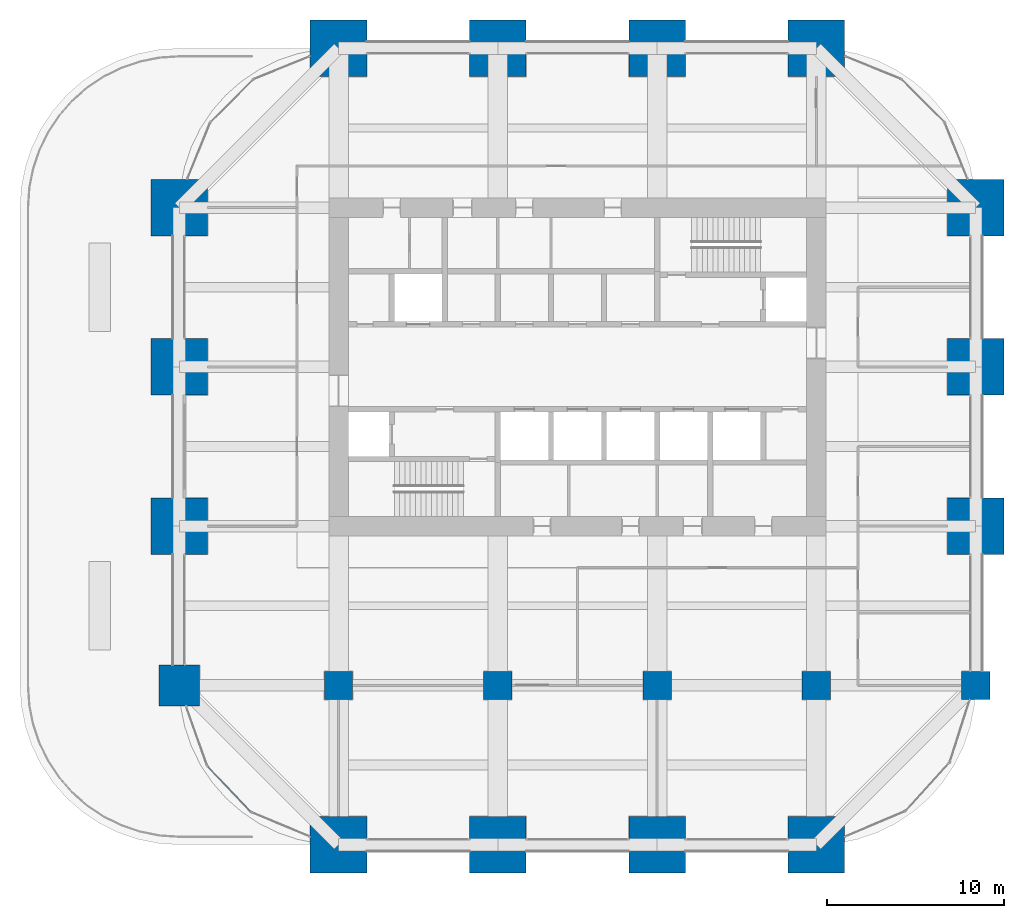
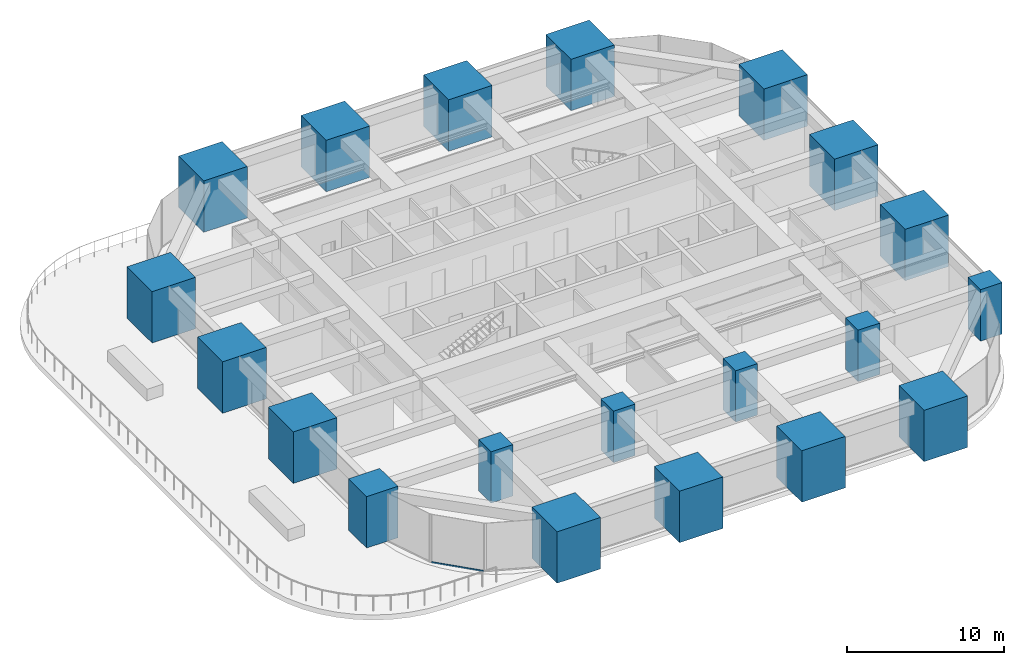
# One storey, part 1 of 40: 20 columns, 1 member, 1 element without a shape of its own.
"""IFC4 building model written with IfcOpenShell, lengths in metres."""

import ifcopenshell
import ifcopenshell.guid

model = None  # the IFC model being written
_history = None  # IfcOwnerHistory: only IFC2X3 demands one
_inside = {}  # id of a spatial element -> (the spatial element, [elements in it])
_under = {}  # id of a project, library or spatial element -> (it, [spatial elements below it])
_declared = {}  # id of a project -> (the project, [libraries it declares])
_typed = {}  # id of a type object -> (the type object, [elements of that type])
_made_of = {}  # id of a material, layer set ... -> (it, [elements and type objects made of it])


def new_model(schema):
    """Start an empty IFC model of exactly this schema.

    Asked for "IFC4X3", IfcOpenShell would pick the latest addendum, in which some entities
    have other attributes; the version numbers below select the first issue.
    IFC2X3 requires an IfcOwnerHistory on every rooted entity: one is made here for all.
    """
    global model, _history
    if schema == "IFC4X3":
        model = ifcopenshell.file(schema_version=(4, 3, 0, 0))
    else:
        model = ifcopenshell.file(schema=schema)
    _inside.clear()
    _under.clear()
    _declared.clear()
    _typed.clear()
    _made_of.clear()
    _history = None
    if model.schema == "IFC2X3":
        org = make("IfcOrganization", Name="unknown")
        user = make(
            "IfcPersonAndOrganization",
            ThePerson=make("IfcPerson", FamilyName="unknown"),
            TheOrganization=org,
        )
        app = make(
            "IfcApplication",
            ApplicationDeveloper=org,
            Version="unknown",
            ApplicationFullName="unknown",
            ApplicationIdentifier="unknown",
        )
        _history = make(
            "IfcOwnerHistory",
            OwningUser=user,
            OwningApplication=app,
            ChangeAction="ADDED",
            CreationDate=0,
        )
    return model


def make(cls, **values):
    """One entity of the class cls with the attributes given. An attribute that is None is left unset."""
    return model.create_entity(
        cls, **{name: value for name, value in values.items() if value is not None}
    )


def rooted(cls, **values):
    """An entity with a GlobalId (a new one), such as an element, a storey or a relation."""
    return make(cls, GlobalId=ifcopenshell.guid.new(), OwnerHistory=_history, **values)


def si_unit(unit_type, name, prefix=None):
    """IfcSIUnit, for example si_unit("LENGTHUNIT", "METRE", prefix="MILLI")."""
    return make("IfcSIUnit", UnitType=unit_type, Prefix=prefix, Name=name)


def assignment(units):
    """IfcUnitAssignment: the units of a project."""
    return None if units is None else make("IfcUnitAssignment", Units=units)


def point(xyz):
    """IfcCartesianPoint."""
    return None if xyz is None else make("IfcCartesianPoint", Coordinates=xyz)


def direction(xyz):
    """IfcDirection."""
    return None if xyz is None else make("IfcDirection", DirectionRatios=xyz)


def frame(location, z_axis=None, x_axis=None):
    """IfcAxis2Placement3D, a coordinate frame: its origin and axes. An axis left out is left unset."""
    return make(
        "IfcAxis2Placement3D",
        Location=point(location),
        Axis=direction(z_axis),
        RefDirection=direction(x_axis),
    )


def frame_2d(location, x_axis=None):
    """IfcAxis2Placement2D, a coordinate frame in the plane: its origin and x axis."""
    return make(
        "IfcAxis2Placement2D", Location=point(location), RefDirection=direction(x_axis)
    )


def origin():
    """The frame at (0, 0, 0) with its axes left unset."""
    return frame((0.0, 0.0, 0.0))


def origin_2d():
    """The frame at (0, 0) in the plane with its x axis left unset."""
    return frame_2d((0.0, 0.0))


def place(relative_to, where):
    """IfcLocalPlacement: puts the frame where relative to a parent placement (None: the world)."""
    return make(
        "IfcLocalPlacement", PlacementRelTo=relative_to, RelativePlacement=where
    )


def context(
    kind, dimensions, precision=None, world=None, true_north=None, identifier=None
):
    """IfcGeometricRepresentationContext, for example the 3D "Model" context."""
    return make(
        "IfcGeometricRepresentationContext",
        ContextIdentifier=identifier,
        ContextType=kind,
        CoordinateSpaceDimension=dimensions,
        Precision=precision,
        WorldCoordinateSystem=world,
        TrueNorth=true_north,
    )


def subcontext(parent, identifier, kind, view, scale=None):
    """IfcGeometricRepresentationSubContext, for example "Body" below "Model"."""
    return make(
        "IfcGeometricRepresentationSubContext",
        ContextIdentifier=identifier,
        ContextType=kind,
        ParentContext=parent,
        TargetScale=scale,
        TargetView=view,
    )


def project(units=None, contexts=None):
    """IfcProject with its units and contexts."""
    return rooted(
        "IfcProject",
        Name="project",
        RepresentationContexts=contexts,
        UnitsInContext=assignment(units),
    )


def spatial(cls, under=None, at=None, **own):
    """A site, building, storey or space (cls), placed at a placement, below another one or the project."""
    s = rooted(cls, ObjectPlacement=at, **own)
    if under is not None:
        _under.setdefault(under.id(), (under, []))[1].append(s)
    return s


def profile(cls, at=None, kind="AREA", **sizes):
    """A parametric profile (cls). Its sizes go by their IFC names, for example OverallWidth=200.0."""
    return make(cls, ProfileType=kind, Position=at, **sizes)


def rectangle(**sizes):
    """IfcRectangleProfileDef."""
    return profile("IfcRectangleProfileDef", **sizes)


def hollow_rectangle(**sizes):
    """IfcRectangleHollowProfileDef."""
    return profile("IfcRectangleHollowProfileDef", **sizes)


def extrude(swept, where, along, depth):
    """IfcExtrudedAreaSolid: the profile swept, set in the frame where, extruded along a direction by depth."""
    return make(
        "IfcExtrudedAreaSolid",
        SweptArea=swept,
        Position=where,
        ExtrudedDirection=direction(along),
        Depth=depth,
    )


def shape(context_of_items, identifier, shape_type, items):
    """IfcShapeRepresentation: the items that make up one representation, for example the "Body"."""
    return make(
        "IfcShapeRepresentation",
        ContextOfItems=context_of_items,
        RepresentationIdentifier=identifier,
        RepresentationType=shape_type,
        Items=items,
    )


def material(Name=None, Category=None):
    """IfcMaterial."""
    return make("IfcMaterial", Name=Name, Category=Category)


def material_profile(
    of_material, cross_section, Name=None, Category=None, Priority=None
):
    """IfcMaterialProfile: a cross section and its material."""
    return make(
        "IfcMaterialProfile",
        Name=Name,
        Material=of_material,
        Profile=cross_section,
        Priority=Priority,
        Category=Category,
    )


def profile_set(profiles, Name=None, composite=None):
    """IfcMaterialProfileSet."""
    return make(
        "IfcMaterialProfileSet",
        Name=Name,
        MaterialProfiles=profiles,
        CompositeProfile=composite,
    )


def made_of(thing, what):
    """Note that an element or type object is made of a material, layer set ...; save() writes the relation."""
    if what is not None:
        _made_of.setdefault(what.id(), (what, []))[1].append(thing)
    return thing


def type_object(cls, material=None, **own):
    """A type object (cls), such as IfcWallType, which elements share."""
    return made_of(rooted(cls, **own), material)


def element(
    cls,
    number,
    at=None,
    inside=None,
    cuts=None,
    type_object=None,
    material=None,
    context=None,
    identifier="Body",
    shape_type=None,
    held_by="IfcProductDefinitionShape",
    body=None,
    shapes=None,
    **own,
):
    """One element of the class cls, such as IfcWall. Its Tag is "e" and its number.

    at: its placement. inside: the storey or other place that contains it. cuts: it is an
    opening in that element (IfcRelVoidsElement). A single representation is given by context,
    identifier, shape_type and body (its items); several are given by shapes. held_by: the class
    of the entity that holds the representations. save() writes the other relations.
    """
    e = rooted(cls, Tag="e%d" % number, ObjectPlacement=at, **own)
    if body is not None:
        shapes = [shape(context, identifier, shape_type, body)]
    if shapes is not None:
        e.Representation = make(held_by, Representations=shapes)
    if inside is not None:
        _inside.setdefault(inside.id(), (inside, []))[1].append(e)
    if cuts is not None:
        rooted(
            "IfcRelVoidsElement", RelatingBuildingElement=cuts, RelatedOpeningElement=e
        )
    if type_object is not None:
        _typed.setdefault(type_object.id(), (type_object, []))[1].append(e)
    return made_of(e, material)


def aggregate(whole, parts):
    """IfcRelAggregates: a whole, such as a stair, and the parts it consists of."""
    return rooted("IfcRelAggregates", RelatingObject=whole, RelatedObjects=parts)


def save(model, path):
    """Write the relations noted so far, then the file.

    IfcRelAggregates (storeys below a building ...), IfcRelContainedInSpatialStructure (elements
    in a storey), IfcRelDefinesByType, IfcRelAssociatesMaterial and IfcRelDeclares: one each for
    every whole, place, type object, material and project.
    """
    for whole, parts in _under.values():
        aggregate(whole, parts)
    for where, things in _inside.values():
        rooted(
            "IfcRelContainedInSpatialStructure",
            RelatedElements=things,
            RelatingStructure=where,
        )
    for kind, things in _typed.values():
        rooted("IfcRelDefinesByType", RelatedObjects=things, RelatingType=kind)
    for what, things in _made_of.values():
        rooted("IfcRelAssociatesMaterial", RelatedObjects=things, RelatingMaterial=what)
    for by, libraries in _declared.values():
        rooted("IfcRelDeclares", RelatingContext=by, RelatedDefinitions=libraries)
    model.write(path)


model = new_model("IFC4")

# Units and contexts
model_context = context("Model", 3, precision=1e-05, world=origin(), true_north=direction((0.0, 1.0)))
body_context = subcontext(model_context, "Body", "Model", "MODEL_VIEW")
ifc_project = project(units=[si_unit("LENGTHUNIT", "METRE"), si_unit("AREAUNIT", "SQUARE_METRE"), si_unit("VOLUMEUNIT", "CUBIC_METRE"), si_unit("PLANEANGLEUNIT", "RADIAN"), si_unit("MASSUNIT", "GRAM", prefix="KILO")], contexts=[model_context])

# Site, building, storey
site_placement = place(None, origin())
site = spatial("IfcSite", under=ifc_project, at=site_placement, CompositionType="ELEMENT")
building_placement = place(site_placement, origin())
building = spatial("IfcBuilding", under=site, at=building_placement, Name="Zorevar Civic Tower", CompositionType="ELEMENT")
storey_placement = place(building_placement, frame((0.0, 0.0, 239.39990234375)))
storey = spatial("IfcBuildingStorey", under=building, at=storey_placement, Name="L58", CompositionType="ELEMENT", Elevation=239.39990234375)

# Columns
ifc_material_1 = material(Name="Concrete C50/60", Category="concrete")
ifc_material_profile_1 = material_profile(ifc_material_1, rectangle(XDim=1.60009765625, YDim=1.60009765625, at=origin_2d()), Name="RC 1600x1600")
ifc_profile_set_1 = profile_set([ifc_material_profile_1], Name="Concrete C50/60")
column_type_1 = type_object("IfcColumnType", Name="Column RC 1600x1600", PredefinedType="COLUMN", material=ifc_profile_set_1)
for number, where, z_axis, x_axis, name in (
    (1, (18.0, 9.0, 0.0), (0.0, 0.0, 1.0), (1.0, 0.0, 0.0), "Column 4B L58"),
    (2, (27.0, 9.0, 0.0), (0.0, 0.0, 1.0), (1.0, 0.0, 0.0), "Column 5B L58"),
    (3, (36.0, 9.0, 0.0), (0.0, 0.0, 1.0), (1.0, 0.0, 0.0), "Column 6B L58"),
    (4, (45.0, 9.0, 0.0), (0.0, 0.0, 1.0), (1.0, 0.0, 0.0), "Column 7B L58"),
    (5, (54.0, 9.0, 0.0), (0.0, 0.0, 1.0), (1.0, 0.0, 0.0), "Column 8B L58"),
):
    element("IfcColumn", number, at=place(storey_placement, frame(where, z_axis=z_axis, x_axis=x_axis)), inside=storey, type_object=column_type_1, Name=name, PredefinedType="COLUMN", context=body_context, shape_type="SweptSolid", body=[
        extrude(rectangle(XDim=1.60009765625, YDim=1.60009765625, at=origin_2d()), origin(), (0.0, 0.0, 1.0), 4.0),
    ])
ifc_material_2 = material(Name="Concrete C50/60", Category="concrete")
ifc_material_profile_2 = material_profile(ifc_material_2, rectangle(XDim=2.300048828125, YDim=2.300048828125, at=origin_2d()), Name="RC 2300x2300")
ifc_profile_set_2 = profile_set([ifc_material_profile_2], Name="Concrete C50/60")
column_type_2 = type_object("IfcColumnType", Name="Column RC 2300x2300", PredefinedType="COLUMN", material=ifc_profile_set_2)
column_placement = place(storey_placement, frame((9.0, 9.0, 0.0), z_axis=(0.0, 0.0, 1.0), x_axis=(1.0, 0.0, 0.0)))
element("IfcColumn", 6, at=column_placement, inside=storey, type_object=column_type_2, Name="Column 3B L58", PredefinedType="COLUMN", context=body_context, shape_type="SweptSolid", body=[
    extrude(rectangle(XDim=2.300048828125, YDim=2.300048828125, at=origin_2d()), origin(), (0.0, 0.0, 1.0), 4.0),
])
ifc_material_3 = material(Name="Concrete C50/60", Category="concrete")
ifc_material_profile_3 = material_profile(ifc_material_3, rectangle(XDim=3.199951171875, YDim=3.199951171875, at=origin_2d()), Name="RC 3200x3200")
ifc_profile_set_3 = profile_set([ifc_material_profile_3], Name="Concrete C50/60")
column_type_3 = type_object("IfcColumnType", Name="Mega column RC 3200x3200", PredefinedType="COLUMN", material=ifc_profile_set_3)
for number, where, z_axis, x_axis, name in (
    (7, (9.0, 18.0, 0.0), (0.0, 0.0, 1.0), (1.0, 0.0, 0.0), "Column 3C L58"),
    (8, (9.0, 27.0, 0.0), (0.0, 0.0, 1.0), (1.0, 0.0, 0.0), "Column 3D L58"),
    (9, (9.0, 36.0, 0.0), (0.0, 0.0, 1.0), (1.0, 0.0, 0.0), "Column 3E L58"),
    (10, (18.0, 0.0, 0.0), (0.0, 0.0, 1.0), (1.0, 0.0, 0.0), "Column 4A L58"),
    (11, (18.0, 45.0, 0.0), (0.0, 0.0, 1.0), (1.0, 0.0, 0.0), "Column 4F L58"),
    (12, (27.0, 0.0, 0.0), (0.0, 0.0, 1.0), (1.0, 0.0, 0.0), "Column 5A L58"),
    (13, (27.0, 45.0, 0.0), (0.0, 0.0, 1.0), (1.0, 0.0, 0.0), "Column 5F L58"),
    (14, (36.0, 0.0, 0.0), (0.0, 0.0, 1.0), (1.0, 0.0, 0.0), "Column 6A L58"),
    (15, (36.0, 45.0, 0.0), (0.0, 0.0, 1.0), (1.0, 0.0, 0.0), "Column 6F L58"),
    (16, (45.0, 0.0, 0.0), (0.0, 0.0, 1.0), (1.0, 0.0, 0.0), "Column 7A L58"),
    (17, (45.0, 45.0, 0.0), (0.0, 0.0, 1.0), (1.0, 0.0, 0.0), "Column 7F L58"),
    (18, (54.0, 18.0, 0.0), (0.0, 0.0, 1.0), (1.0, 0.0, 0.0), "Column 8C L58"),
    (19, (54.0, 27.0, 0.0), (0.0, 0.0, 1.0), (1.0, 0.0, 0.0), "Column 8D L58"),
    (20, (54.0, 36.0, 0.0), (0.0, 0.0, 1.0), (1.0, 0.0, 0.0), "Column 8E L58"),
):
    element("IfcColumn", number, at=place(storey_placement, frame(where, z_axis=z_axis, x_axis=x_axis)), inside=storey, type_object=column_type_3, Name=name, PredefinedType="COLUMN", context=body_context, shape_type="SweptSolid", body=[
        extrude(rectangle(XDim=3.199951171875, YDim=3.199951171875, at=origin_2d()), origin(), (0.0, 0.0, 1.0), 4.0),
    ])

# Curtain wall, member
ifc_material_4 = material(Name="Dark grey solar-control glass in black aluminium frame", Category="aluminium")
curtain_wall_type = type_object("IfcCurtainWallType", Name="Curtain wall CW5 top zone", PredefinedType="NOTDEFINED", material=ifc_material_4)
curtain_wall_placement = place(storey_placement, origin())
curtain_wall = element("IfcCurtainWall", 21, at=curtain_wall_placement, inside=storey, type_object=curtain_wall_type, Name="CW5 L58", PredefinedType="NOTDEFINED")
ifc_material_5 = material(Name="Aluminium, black anodised", Category="aluminium")
ifc_material_profile_4 = material_profile(ifc_material_5, hollow_rectangle(XDim=0.06005859375, YDim=0.1201171875, WallThickness=0.0029296875, at=origin_2d()), Name="AL 120x60x3")
ifc_profile_set_4 = profile_set([ifc_material_profile_4], Name="Aluminium, black anodised")
member_type = type_object("IfcMemberType", Name="CW5 transom AL 120x60x3", PredefinedType="USERDEFINED", material=ifc_profile_set_4)
member_placement = place(storey_placement, frame((10.625732421875, 4.40673828125, 0.030029296875), z_axis=(0.688352043151, -0.725376774297, 0.0), x_axis=(0.725376774297, 0.688352043151, 0.0)))
member = element("IfcMember", 22, at=member_placement, type_object=member_type, Name="CW5 sill transom", ObjectType="TRANSOM", PredefinedType="USERDEFINED", context=body_context, shape_type="SweptSolid", body=[
    extrude(hollow_rectangle(XDim=0.06005859375, YDim=0.1201171875, WallThickness=0.0029296875, at=origin_2d()), origin(), (0.0, 0.0, 1.0), 3.48828125),
])
aggregate(curtain_wall, [member])

save(model, "model.ifc")
